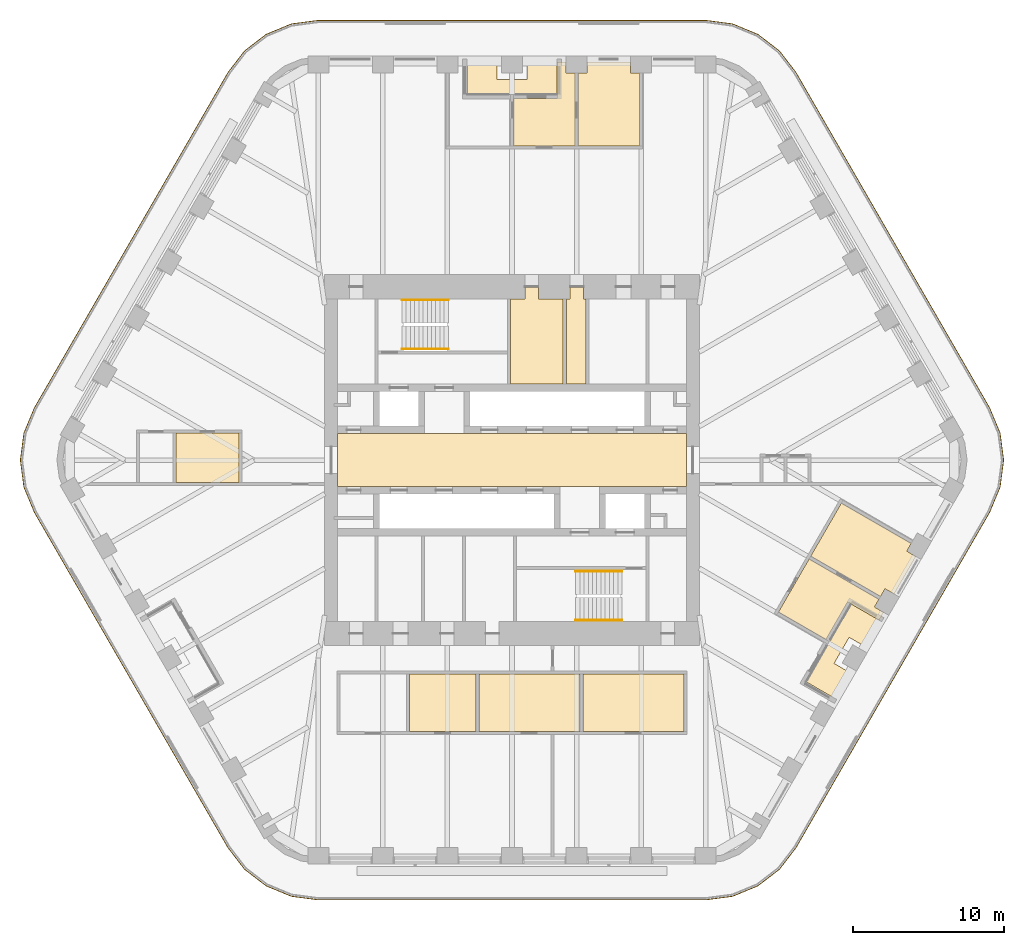
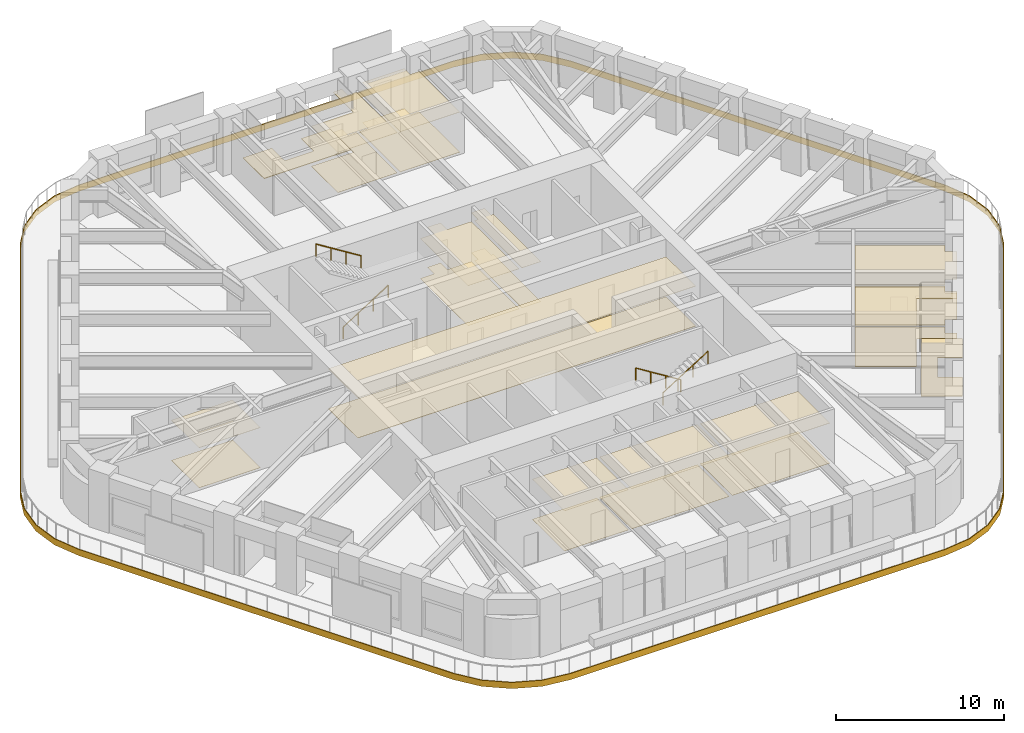
# One storey, part 18 of 19: 11 coverings, 4 railings.
"""IFC4 building model written with IfcOpenShell, lengths in metres."""

from ifc_helpers import new_model, si_unit, direction, frame, origin, origin_2d, place, context, subcontext, project, spatial, polyline, circle, outline, extrude, material, layer, layer_set, type_object, element, save


model = new_model("IFC4")

# Units and contexts
model_context = context("Model", 3, precision=1e-05, world=origin(), true_north=direction((0.0, 1.0)))
body_context = subcontext(model_context, "Body", "Model", "MODEL_VIEW")
ifc_project = project(units=[si_unit("LENGTHUNIT", "METRE"), si_unit("AREAUNIT", "SQUARE_METRE"), si_unit("VOLUMEUNIT", "CUBIC_METRE"), si_unit("PLANEANGLEUNIT", "RADIAN"), si_unit("MASSUNIT", "GRAM", prefix="KILO")], contexts=[model_context])

# Site, building, storey
site_placement = place(None, origin())
site = spatial("IfcSite", under=ifc_project, at=site_placement, CompositionType="ELEMENT")
building_placement = place(site_placement, origin())
building = spatial("IfcBuilding", under=site, at=building_placement, Name="Tarfa Lantern Tower", CompositionType="ELEMENT")
storey_placement = place(building_placement, frame((0.0, 0.0, 328.300048828125)))
storey = spatial("IfcBuildingStorey", under=building, at=storey_placement, Name="L74", CompositionType="ELEMENT", Elevation=328.300048828125)

# Coverings
ifc_material_1 = material(Name="Mineral fibre acoustic tile on suspension grid", Category="finish")
ifc_layer_1 = layer(ifc_material_1, 0.02001953125)
ifc_layer_set_1 = layer_set([ifc_layer_1], Name="CL1 ACOUSTIC TILE CEILING 20")
covering_type_1 = type_object("IfcCoveringType", Name="CL1 ACOUSTIC TILE CEILING 20", PredefinedType="CEILING", material=ifc_layer_set_1)
covering_1_placement = place(storey_placement, frame((0.0, 0.0, 2.89990234375)))
element("IfcCovering", 1, at=covering_1_placement, inside=storey, type_object=covering_type_1, Name="Ceiling L74 CL1", PredefinedType="CEILING", context=body_context, shape_type="SweptSolid", body=[
    extrude(outline(polyline([(-2.199951171875, -14.199951171875), (4.5, -14.199951171875), (4.5, -18.0), (-2.199951171875, -18.0), (-2.199951171875, -14.199951171875)])), origin(), (0.0, 0.0, 1.0), 0.02001953125),
    extrude(outline(polyline([(-6.800048828125, -14.199951171875), (-2.39990234375, -14.199951171875), (-2.39990234375, -18.0), (-6.800048828125, -18.0), (-6.800048828125, -14.199951171875)])), origin(), (0.0, 0.0, 1.0), 0.02001953125),
    extrude(outline(polyline([(4.18212890625, 20.85009765625), (0.10009765625, 20.85009765625), (0.10009765625, 24.0), (2.98193359375, 24.0), (2.98193359375, 26.39990234375), (3.58203125, 26.39990234375), (3.58203125, 25.699951171875), (4.18212890625, 25.699951171875), (4.18212890625, 20.85009765625)])), origin(), (0.0, 0.0, 1.0), 0.02001953125),
    extrude(outline(polyline([(19.714599609375, -6.55322265625), (24.347900390625, -9.228271484375), (24.0478515625, -9.747802734375), (24.654052734375, -10.097900390625), (24.35400390625, -10.617431640625), (22.275634765625, -9.41748046875), (20.834716796875, -11.913330078125), (17.673583984375, -10.08837890625), (19.714599609375, -6.55322265625)])), origin(), (0.0, 0.0, 1.0), 0.02001953125),
    extrude(outline(polyline([(-22.304931640625, 1.800048828125), (-18.10498046875, 1.800048828125), (-18.10498046875, -1.5), (-22.304931640625, -1.5), (-22.304931640625, 1.800048828125)])), origin(), (0.0, 0.0, 1.0), 0.02001953125),
    extrude(outline(polyline([(4.699951171875, -14.199951171875), (11.39990234375, -14.199951171875), (11.39990234375, -18.0), (4.699951171875, -18.0), (4.699951171875, -14.199951171875)])), origin(), (0.0, 0.0, 1.0), 0.02001953125),
    extrude(outline(polyline([(8.464111328125, 20.85009765625), (4.382080078125, 20.85009765625), (4.382080078125, 25.699951171875), (4.98193359375, 25.699951171875), (4.98193359375, 26.39990234375), (7.864013671875, 26.39990234375), (7.864013671875, 25.699951171875), (8.464111328125, 25.699951171875), (8.464111328125, 20.85009765625)])), origin(), (0.0, 0.0, 1.0), 0.02001953125),
    extrude(outline(polyline([(21.855712890625, -2.844970703125), (26.48876953125, -5.52001953125), (26.18896484375, -6.03955078125), (26.795166015625, -6.3896484375), (25.35400390625, -8.885498046875), (24.747802734375, -8.535400390625), (24.44775390625, -9.05517578125), (19.814697265625, -6.380126953125), (21.855712890625, -2.844970703125)])), origin(), (0.0, 0.0, 1.0), 0.02001953125),
])
ifc_material_2 = material(Name="Moisture-resistant plasterboard", Category="finish")
ifc_layer_2 = layer(ifc_material_2, 0.014892578125)
ifc_layer_set_2 = layer_set([ifc_layer_2], Name="CL2 MOISTURE-RESISTANT PLASTERBOARD CEILING 15")
covering_type_2 = type_object("IfcCoveringType", Name="CL2 MOISTURE-RESISTANT PLASTERBOARD CEILING 15", PredefinedType="CEILING", material=ifc_layer_set_2)
covering_2_placement = place(storey_placement, frame((0.0, 0.0, 2.89990234375)))
element("IfcCovering", 2, at=covering_2_placement, inside=storey, type_object=covering_type_2, Name="Ceiling L74-05", PredefinedType="CEILING", context=body_context, shape_type="SweptSolid", body=[
    extrude(outline(polyline([(0.85009765625, 10.699951171875), (-0.10009765625, 10.699951171875), (-0.10009765625, 5.050048828125), (3.39990234375, 5.050048828125), (3.39990234375, 10.699951171875), (1.75, 10.699951171875), (1.75, 11.5), (0.85009765625, 11.5), (0.85009765625, 11.5), (0.85009765625, 10.699951171875)])), origin(), (0.0, 0.0, 1.0), 0.01513671875),
])
covering_3_placement = place(storey_placement, frame((0.0, 0.0, 2.89990234375)))
element("IfcCovering", 3, at=covering_3_placement, inside=storey, type_object=covering_type_2, Name="Ceiling L74-06", PredefinedType="CEILING", context=body_context, shape_type="SweptSolid", body=[
    extrude(outline(polyline([(3.60009765625, 5.050048828125), (4.89990234375, 5.050048828125), (4.89990234375, 10.699951171875), (4.75, 10.699951171875), (4.75, 11.5), (3.85009765625, 11.5), (3.85009765625, 10.699951171875), (3.60009765625, 10.699951171875), (3.60009765625, 5.050048828125)])), origin(), (0.0, 0.0, 1.0), 0.01513671875),
])
ifc_material_3 = material(Name="Powder-coated aluminium panel", Category="aluminium")
ifc_layer_3 = layer(ifc_material_3, 0.030029296875)
ifc_layer_set_3 = layer_set([ifc_layer_3], Name="CL3 METAL PANEL CEILING 30")
covering_type_3 = type_object("IfcCoveringType", Name="CL3 METAL PANEL CEILING 30", PredefinedType="CEILING", material=ifc_layer_set_3)
covering_4_placement = place(storey_placement, frame((0.0, 0.0, 2.89990234375)))
element("IfcCovering", 4, at=covering_4_placement, inside=storey, type_object=covering_type_3, Name="Ceiling L74-01", PredefinedType="CEILING", context=body_context, shape_type="SweptSolid", body=[
    extrude(outline(polyline([(-11.574951171875, -1.75), (11.574951171875, -1.75), (11.574951171875, 1.75), (-11.574951171875, 1.75), (-11.574951171875, -1.75)])), origin(), (0.0, 0.0, 1.0), 0.030029296875),
])
ifc_material_4 = material(Name="Nylon carpet tile", Category="finish")
ifc_layer_4 = layer(ifc_material_4, 0.010009765625)
ifc_layer_set_4 = layer_set([ifc_layer_4], Name="FL1 CARPET TILE 10")
covering_type_4 = type_object("IfcCoveringType", Name="FL1 CARPET TILE 10", PredefinedType="FLOORING", material=ifc_layer_set_4)
covering_5_placement = place(storey_placement, origin())
element("IfcCovering", 5, at=covering_5_placement, inside=storey, type_object=covering_type_4, Name="Floor finish L74 FL1", PredefinedType="FLOORING", context=body_context, shape_type="SweptSolid", body=[
    extrude(outline(polyline([(-2.199951171875, -14.199951171875), (4.5, -14.199951171875), (4.5, -18.0), (-2.199951171875, -18.0), (-2.199951171875, -14.199951171875)])), origin(), (0.0, 0.0, 1.0), 0.010009765625),
    extrude(outline(polyline([(-6.800048828125, -14.199951171875), (-2.39990234375, -14.199951171875), (-2.39990234375, -18.0), (-6.800048828125, -18.0), (-6.800048828125, -14.199951171875)])), origin(), (0.0, 0.0, 1.0), 0.010009765625),
    extrude(outline(polyline([(4.18212890625, 20.85009765625), (0.10009765625, 20.85009765625), (0.10009765625, 24.0), (2.98193359375, 24.0), (2.98193359375, 26.39990234375), (3.58203125, 26.39990234375), (3.58203125, 25.699951171875), (4.18212890625, 25.699951171875), (4.18212890625, 20.85009765625)])), origin(), (0.0, 0.0, 1.0), 0.010009765625),
    extrude(outline(polyline([(19.714599609375, -6.55322265625), (24.347900390625, -9.228271484375), (24.0478515625, -9.747802734375), (24.654052734375, -10.097900390625), (24.35400390625, -10.617431640625), (22.275634765625, -9.41748046875), (20.834716796875, -11.913330078125), (17.673583984375, -10.08837890625), (19.714599609375, -6.55322265625)])), origin(), (0.0, 0.0, 1.0), 0.010009765625),
    extrude(outline(polyline([(-22.304931640625, 1.800048828125), (-18.10498046875, 1.800048828125), (-18.10498046875, -1.5), (-22.304931640625, -1.5), (-22.304931640625, 1.800048828125)])), origin(), (0.0, 0.0, 1.0), 0.010009765625),
    extrude(outline(polyline([(4.699951171875, -14.199951171875), (11.39990234375, -14.199951171875), (11.39990234375, -18.0), (4.699951171875, -18.0), (4.699951171875, -14.199951171875)])), origin(), (0.0, 0.0, 1.0), 0.010009765625),
    extrude(outline(polyline([(8.464111328125, 20.85009765625), (4.382080078125, 20.85009765625), (4.382080078125, 25.699951171875), (4.98193359375, 25.699951171875), (4.98193359375, 26.39990234375), (7.864013671875, 26.39990234375), (7.864013671875, 25.699951171875), (8.464111328125, 25.699951171875), (8.464111328125, 20.85009765625)])), origin(), (0.0, 0.0, 1.0), 0.010009765625),
    extrude(outline(polyline([(21.855712890625, -2.844970703125), (26.48876953125, -5.52001953125), (26.18896484375, -6.03955078125), (26.795166015625, -6.3896484375), (25.35400390625, -8.885498046875), (24.747802734375, -8.535400390625), (24.44775390625, -9.05517578125), (19.814697265625, -6.380126953125), (21.855712890625, -2.844970703125)])), origin(), (0.0, 0.0, 1.0), 0.010009765625),
])
ifc_material_5 = material(Name="Honed limestone flooring", Category="masonry")
ifc_layer_5 = layer(ifc_material_5, 0.030029296875)
ifc_layer_set_5 = layer_set([ifc_layer_5], Name="FL2 STONE FLOORING 30")
covering_type_5 = type_object("IfcCoveringType", Name="FL2 STONE FLOORING 30", PredefinedType="FLOORING", material=ifc_layer_set_5)
covering_6_placement = place(storey_placement, origin())
element("IfcCovering", 6, at=covering_6_placement, inside=storey, type_object=covering_type_5, Name="Floor finish L74-01", PredefinedType="FLOORING", context=body_context, shape_type="SweptSolid", body=[
    extrude(outline(polyline([(-11.574951171875, -1.75), (11.574951171875, -1.75), (11.574951171875, 1.75), (-11.574951171875, 1.75), (-11.574951171875, -1.75)])), origin(), (0.0, 0.0, 1.0), 0.030029296875),
])
ifc_material_6 = material(Name="Porcelain floor tile", Category="finish")
ifc_layer_6 = layer(ifc_material_6, 0.011962890625)
ifc_layer_set_6 = layer_set([ifc_layer_6], Name="FL3 CERAMIC TILE 12")
covering_type_6 = type_object("IfcCoveringType", Name="FL3 CERAMIC TILE 12", PredefinedType="FLOORING", material=ifc_layer_set_6)
covering_7_placement = place(storey_placement, origin())
element("IfcCovering", 7, at=covering_7_placement, inside=storey, type_object=covering_type_6, Name="Floor finish L74-05", PredefinedType="FLOORING", context=body_context, shape_type="SweptSolid", body=[
    extrude(outline(polyline([(0.85009765625, 10.699951171875), (-0.10009765625, 10.699951171875), (-0.10009765625, 5.050048828125), (3.39990234375, 5.050048828125), (3.39990234375, 10.699951171875), (1.75, 10.699951171875), (1.75, 11.5), (0.85009765625, 11.5), (0.85009765625, 11.5), (0.85009765625, 10.699951171875)])), origin(), (0.0, 0.0, 1.0), 0.011962890625),
])
covering_8_placement = place(storey_placement, origin())
element("IfcCovering", 8, at=covering_8_placement, inside=storey, type_object=covering_type_6, Name="Floor finish L74-06", PredefinedType="FLOORING", context=body_context, shape_type="SweptSolid", body=[
    extrude(outline(polyline([(3.60009765625, 5.050048828125), (4.89990234375, 5.050048828125), (4.89990234375, 10.699951171875), (4.75, 10.699951171875), (4.75, 11.5), (3.85009765625, 11.5), (3.85009765625, 10.699951171875), (3.60009765625, 10.699951171875), (3.60009765625, 5.050048828125)])), origin(), (0.0, 0.0, 1.0), 0.011962890625),
])

# Railings
ifc_material_7 = material(Name="Stainless steel", Category="steel")
railing_type = type_object("IfcRailingType", Name="HR1 HANDRAIL 900", PredefinedType="HANDRAIL", material=ifc_material_7)
railing_1_placement = place(storey_placement, frame((-7.300048828125, 7.3798828125, 0.175048828125)))
element("IfcRailing", 9, at=railing_1_placement, inside=storey, type_object=railing_type, Name="Handrail 1", PredefinedType="HANDRAIL", context=body_context, shape_type="SweptSolid", body=[
    extrude(circle(Radius=0.02392578125, at=origin_2d()), frame((0.0, 0.0, 0.8759765625), z_axis=(0.848028513186, 0.0, 0.529950602248), x_axis=(0.0, 1.0, 0.0)), (0.0, 0.0, 1.0), 3.632080078125),
    extrude(circle(Radius=0.02099609375, at=origin_2d()), frame((0.0, 0.0, 0.0), z_axis=(0.0, 0.0, 1.0), x_axis=(0.0, 1.0, 0.0)), (0.0, 0.0, 1.0), 0.851806640625),
    extrude(circle(Radius=0.02099609375, at=origin_2d()), frame((1.026611328125, 0.0, 0.6416015625), z_axis=(0.0, 0.0, 1.0), x_axis=(0.0, 1.0, 0.0)), (0.0, 0.0, 1.0), 0.851806640625),
    extrude(circle(Radius=0.02099609375, at=origin_2d()), frame((2.053466796875, 0.0, 1.283203125), z_axis=(0.0, 0.0, 1.0), x_axis=(0.0, 1.0, 0.0)), (0.0, 0.0, 1.0), 0.851806640625),
    extrude(circle(Radius=0.02099609375, at=origin_2d()), frame((3.080078125, 0.0, 1.9248046875), z_axis=(0.0, 0.0, 1.0), x_axis=(0.0, 1.0, 0.0)), (0.0, 0.0, 1.0), 0.851806640625),
])
railing_2_placement = place(storey_placement, frame((-4.219970703125, 10.6201171875, 2.27490234375)))
element("IfcRailing", 10, at=railing_2_placement, inside=storey, type_object=railing_type, Name="Handrail 2", PredefinedType="HANDRAIL", context=body_context, shape_type="SweptSolid", body=[
    extrude(circle(Radius=0.02392578125, at=origin_2d()), frame((0.0, 0.0, 0.8759765625), z_axis=(-0.847998304005, 0.0, 0.529998940003), x_axis=(0.0, -1.0, 0.0)), (0.0, 0.0, 1.0), 3.632080078125),
    extrude(circle(Radius=0.02099609375, at=origin_2d()), frame((0.0, 0.0, 0.0), z_axis=(0.0, 0.0, 1.0), x_axis=(0.0, -1.0, 0.0)), (0.0, 0.0, 1.0), 0.851806640625),
    extrude(circle(Radius=0.02099609375, at=origin_2d()), frame((-1.026611328125, 0.0, 0.6416015625), z_axis=(0.0, 0.0, 1.0), x_axis=(0.0, -1.0, 0.0)), (0.0, 0.0, 1.0), 0.851806640625),
    extrude(circle(Radius=0.02099609375, at=origin_2d()), frame((-2.053466796875, 0.0, 1.283447265625), z_axis=(0.0, 0.0, 1.0), x_axis=(0.0, -1.0, 0.0)), (0.0, 0.0, 1.0), 0.851806640625),
    extrude(circle(Radius=0.02099609375, at=origin_2d()), frame((-3.080078125, 0.0, 1.925048828125), z_axis=(0.0, 0.0, 1.0), x_axis=(0.0, -1.0, 0.0)), (0.0, 0.0, 1.0), 0.851806640625),
])
railing_3_placement = place(storey_placement, frame((7.300048828125, -7.3798828125, 0.175048828125)))
element("IfcRailing", 11, at=railing_3_placement, inside=storey, type_object=railing_type, Name="Handrail 1", PredefinedType="HANDRAIL", context=body_context, shape_type="SweptSolid", body=[
    extrude(circle(Radius=0.02392578125, at=origin_2d()), frame((0.0, 0.0, 0.8759765625), z_axis=(-0.848028513186, 0.0, 0.529950602248), x_axis=(0.0, -1.0, 0.0)), (0.0, 0.0, 1.0), 3.632080078125),
    extrude(circle(Radius=0.02099609375, at=origin_2d()), frame((0.0, 0.0, 0.0), z_axis=(0.0, 0.0, 1.0), x_axis=(0.0, -1.0, 0.0)), (0.0, 0.0, 1.0), 0.851806640625),
    extrude(circle(Radius=0.02099609375, at=origin_2d()), frame((-1.026611328125, 0.0, 0.6416015625), z_axis=(0.0, 0.0, 1.0), x_axis=(0.0, -1.0, 0.0)), (0.0, 0.0, 1.0), 0.851806640625),
    extrude(circle(Radius=0.02099609375, at=origin_2d()), frame((-2.053466796875, 0.0, 1.283203125), z_axis=(0.0, 0.0, 1.0), x_axis=(0.0, -1.0, 0.0)), (0.0, 0.0, 1.0), 0.851806640625),
    extrude(circle(Radius=0.02099609375, at=origin_2d()), frame((-3.080078125, 0.0, 1.9248046875), z_axis=(0.0, 0.0, 1.0), x_axis=(0.0, -1.0, 0.0)), (0.0, 0.0, 1.0), 0.851806640625),
])
railing_4_placement = place(storey_placement, frame((4.219970703125, -10.6201171875, 2.27490234375)))
element("IfcRailing", 12, at=railing_4_placement, inside=storey, type_object=railing_type, Name="Handrail 2", PredefinedType="HANDRAIL", context=body_context, shape_type="SweptSolid", body=[
    extrude(circle(Radius=0.02392578125, at=origin_2d()), frame((0.0, 0.0, 0.8759765625), z_axis=(0.847998304005, 0.0, 0.529998940003), x_axis=(0.0, 1.0, 0.0)), (0.0, 0.0, 1.0), 3.632080078125),
    extrude(circle(Radius=0.02099609375, at=origin_2d()), frame((0.0, 0.0, 0.0), z_axis=(0.0, 0.0, 1.0), x_axis=(0.0, 1.0, 0.0)), (0.0, 0.0, 1.0), 0.851806640625),
    extrude(circle(Radius=0.02099609375, at=origin_2d()), frame((1.026611328125, 0.0, 0.6416015625), z_axis=(0.0, 0.0, 1.0), x_axis=(0.0, 1.0, 0.0)), (0.0, 0.0, 1.0), 0.851806640625),
    extrude(circle(Radius=0.02099609375, at=origin_2d()), frame((2.053466796875, 0.0, 1.283447265625), z_axis=(0.0, 0.0, 1.0), x_axis=(0.0, 1.0, 0.0)), (0.0, 0.0, 1.0), 0.851806640625),
    extrude(circle(Radius=0.02099609375, at=origin_2d()), frame((3.080078125, 0.0, 1.925048828125), z_axis=(0.0, 0.0, 1.0), x_axis=(0.0, 1.0, 0.0)), (0.0, 0.0, 1.0), 0.851806640625),
])

# Coverings
ifc_material_8 = material(Name="Porcelain pavers on pedestals", Category="ceramic")
ifc_layer_7 = layer(ifc_material_8, 0.0400390625)
ifc_layer_set_7 = layer_set([ifc_layer_7], Name="LP1 LOGGIA PAVING 40")
covering_type_7 = type_object("IfcCoveringType", Name="LP1 LOGGIA PAVING 40", PredefinedType="FLOORING", material=ifc_layer_set_7)
covering_9_placement = place(storey_placement, origin())
element("IfcCovering", 13, at=covering_9_placement, inside=storey, type_object=covering_type_7, Name="Terrace paving N", PredefinedType="FLOORING", context=body_context, shape_type="SweptSolid", body=[
    extrude(outline(polyline([(2.98193359375, 26.75), (2.98193359375, 24.27001953125), (-2.98193359375, 24.27001953125), (-2.98193359375, 26.75), (-1.0, 26.75), (-1.0, 25.25), (1.0, 25.25), (1.0, 26.75), (2.98193359375, 26.75)])), origin(), (0.0, 0.0, 1.0), 0.0400390625),
])
covering_10_placement = place(storey_placement, origin())
element("IfcCovering", 14, at=covering_10_placement, inside=storey, type_object=covering_type_7, Name="Terrace paving SE", PredefinedType="FLOORING", context=body_context, shape_type="SweptSolid", body=[
    extrude(outline(polyline([(21.67529296875, -15.95751953125), (19.52734375, -14.717529296875), (22.509521484375, -9.552490234375), (24.6572265625, -10.79248046875), (23.666259765625, -12.509033203125), (22.3671875, -11.759033203125), (21.3671875, -13.490966796875), (22.666259765625, -14.240966796875), (21.67529296875, -15.95751953125)])), origin(), (0.0, 0.0, 1.0), 0.0400390625),
])
ifc_material_9 = material(Name="Limestone cladding on brackets", Category="masonry")
ifc_layer_8 = layer(ifc_material_9, 0.050048828125)
ifc_layer_set_8 = layer_set([ifc_layer_8], Name="SB1 STONE BAND CLADDING 50")
covering_type_8 = type_object("IfcCoveringType", Name="SB1 STONE BAND CLADDING 50", PredefinedType="CLADDING", material=ifc_layer_set_8)
covering_11_placement = place(storey_placement, frame((0.0, 0.0, -0.400146484375)))
element("IfcCovering", 15, at=covering_11_placement, inside=storey, type_object=covering_type_8, Name="Stone band", PredefinedType="CLADDING", context=body_context, shape_type="SweptSolid", body=[
    extrude(outline(polyline([(31.7109375, 3.47509765625), (18.864990234375, 25.72509765625), (17.760498046875, 27.164306640625), (16.321044921875, 28.268798828125), (14.644775390625, 28.963134765625), (12.845947265625, 29.199951171875), (-12.845947265625, 29.199951171875), (-14.644775390625, 28.963134765625), (-16.321044921875, 28.268798828125), (-17.760498046875, 27.164306640625), (-18.864990234375, 25.72509765625), (-31.7109375, 3.47509765625), (-32.4052734375, 1.798828125), (-32.64208984375, 0.0), (-32.4052734375, -1.798828125), (-31.7109375, -3.47509765625), (-18.864990234375, -25.72509765625), (-17.760498046875, -27.164306640625), (-16.321044921875, -28.268798828125), (-14.644775390625, -28.963134765625), (-12.845947265625, -29.199951171875), (12.845947265625, -29.199951171875), (14.644775390625, -28.963134765625), (16.321044921875, -28.268798828125), (17.760498046875, -27.164306640625), (18.864990234375, -25.72509765625), (31.7109375, -3.47509765625), (32.4052734375, -1.798828125), (32.64208984375, 0.0), (32.4052734375, 1.798828125), (31.7109375, 3.47509765625)]), holes=[polyline([(31.667724609375, 3.449951171875), (18.821533203125, 25.699951171875), (17.72509765625, 27.129150390625), (16.296142578125, 28.2255859375), (14.6318359375, 28.914794921875), (12.845947265625, 29.14990234375), (-12.845947265625, 29.14990234375), (-14.6318359375, 28.914794921875), (-16.296142578125, 28.2255859375), (-17.72509765625, 27.129150390625), (-18.821533203125, 25.699951171875), (-31.667724609375, 3.449951171875), (-32.35693359375, 1.785888671875), (-32.592041015625, 0.0), (-32.35693359375, -1.785888671875), (-31.667724609375, -3.449951171875), (-18.821533203125, -25.699951171875), (-17.72509765625, -27.129150390625), (-16.296142578125, -28.2255859375), (-14.6318359375, -28.914794921875), (-12.845947265625, -29.14990234375), (12.845947265625, -29.14990234375), (14.6318359375, -28.914794921875), (16.296142578125, -28.2255859375), (17.72509765625, -27.129150390625), (18.821533203125, -25.699951171875), (31.667724609375, -3.449951171875), (32.35693359375, -1.785888671875), (32.592041015625, 0.0), (32.35693359375, 1.785888671875), (31.667724609375, 3.449951171875)])]), origin(), (0.0, 0.0, 1.0), 0.4501953125),
])

save(model, "model.ifc")
